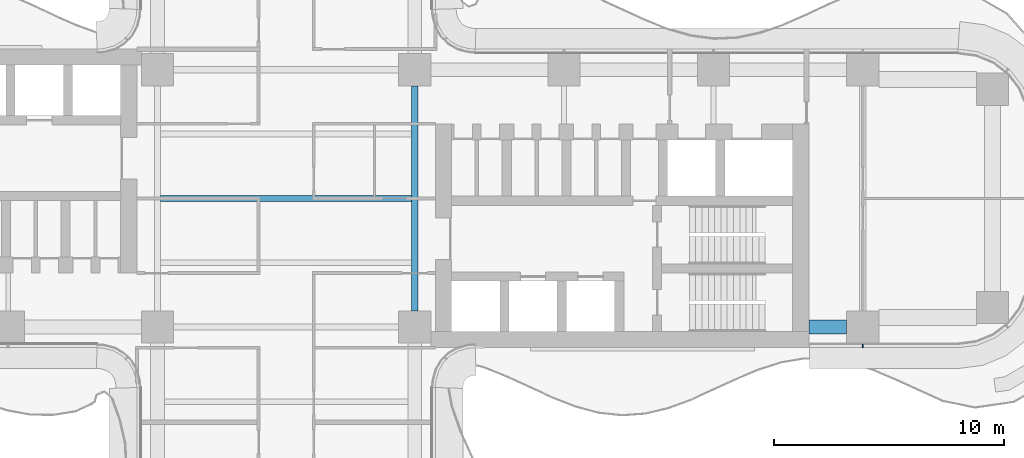
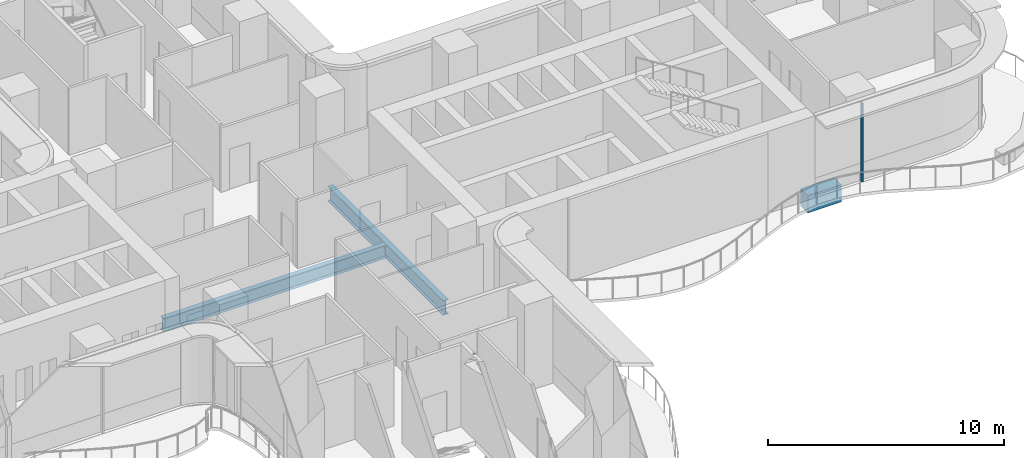
# One storey, part 6 of 22: 3 beams, 1 member, 1 element without a shape of its own.
"""IFC4 building model written with IfcOpenShell, lengths in metres."""

from ifc_helpers import new_model, si_unit, direction, frame, origin, origin_2d, place, context, subcontext, project, spatial, rectangle, i_section, extrude, source, transform, mapped, material, layer, layer_set, material_profile, profile_set, type_object, element, aggregate, save


model = new_model("IFC4")

# Units and contexts
model_context = context("Model", 3, precision=1e-05, world=origin(), true_north=direction((0.0, 1.0)))
body_context = subcontext(model_context, "Body", "Model", "MODEL_VIEW")
ifc_project = project(units=[si_unit("LENGTHUNIT", "METRE"), si_unit("AREAUNIT", "SQUARE_METRE"), si_unit("VOLUMEUNIT", "CUBIC_METRE"), si_unit("PLANEANGLEUNIT", "RADIAN"), si_unit("MASSUNIT", "GRAM", prefix="KILO")], contexts=[model_context])

# Site, building, storey
site_placement = place(None, origin())
site = spatial("IfcSite", under=ifc_project, at=site_placement, CompositionType="ELEMENT")
building_placement = place(site_placement, origin())
building = spatial("IfcBuilding", under=site, at=building_placement, Name="Trellis Farm Tower", CompositionType="ELEMENT")
storey_placement = place(building_placement, frame((0.0, 0.0, 56.5)))
storey = spatial("IfcBuildingStorey", under=building, at=storey_placement, Name="L11", CompositionType="ELEMENT", Elevation=56.5)

# Beams
ifc_material_1 = material(Name="Steel S355", Category="steel")
ifc_material_profile_1 = material_profile(ifc_material_1, i_section(OverallWidth=0.253662109375, OverallDepth=0.68359375, WebThickness=0.012451171875, FlangeThickness=0.021728515625, FilletRadius=0.01513671875, at=origin_2d()), Name="UB 686x254x140")
ifc_profile_set_1 = profile_set([ifc_material_profile_1], Name="Steel S355")
beam_type_1 = type_object("IfcBeamType", Name="UB 686x254x140 joist", PredefinedType="JOIST", material=ifc_profile_set_1)
shared_shape_1 = source(origin(), body_context, "Body", "SweptSolid", [
    extrude(i_section(OverallWidth=0.253662109375, OverallDepth=0.68359375, WebThickness=0.012451171875, FlangeThickness=0.021728515625, FilletRadius=0.01513671875, at=origin_2d()), origin(), (0.0, 0.0, 1.0), 10.93310546875),
])
beam_1_placement = place(storey_placement, frame((-5.466552734375, 0.0, -0.591796875), z_axis=(1.0, 0.0, 0.0), x_axis=(0.0, 1.0, 0.0)))
element("IfcBeam", 1, at=beam_1_placement, inside=storey, type_object=beam_type_1, Name="Floor beam", PredefinedType="JOIST", context=body_context, shape_type="MappedRepresentation", body=[
    mapped(shared_shape_1, transform((0.0, 0.0, 0.0))),
])
ifc_material_profile_2 = material_profile(ifc_material_1, i_section(OverallWidth=0.2666015625, OverallDepth=0.76220703125, WebThickness=0.014404296875, FlangeThickness=0.021484375, FilletRadius=0.0166015625, at=origin_2d()), Name="UB 762x267x173")
ifc_profile_set_2 = profile_set([ifc_material_profile_2], Name="Steel S355")
beam_type_2 = type_object("IfcBeamType", Name="UB 762x267x173", PredefinedType="BEAM", material=ifc_profile_set_2)
shared_shape_2 = source(origin(), body_context, "Body", "SweptSolid", [
    extrude(i_section(OverallWidth=0.2666015625, OverallDepth=0.76220703125, WebThickness=0.014404296875, FlangeThickness=0.021484375, FilletRadius=0.0166015625, at=origin_2d()), origin(), (0.0, 0.0, 1.0), 9.7998046875),
])
beam_2_placement = place(storey_placement, frame((5.60009765625, -4.89990234375, -0.631103515625), z_axis=(0.0, 1.0, 0.0), x_axis=(-1.0, 0.0, 0.0)))
element("IfcBeam", 2, at=beam_2_placement, inside=storey, type_object=beam_type_2, Name="Girder", PredefinedType="BEAM", context=body_context, shape_type="MappedRepresentation", body=[
    mapped(shared_shape_2, transform((0.0, 0.0, 0.0))),
])
ifc_material_2 = material(Name="Concrete C60/75", Category="concrete")
ifc_material_profile_3 = material_profile(ifc_material_2, rectangle(XDim=0.60009765625, YDim=0.89990234375, at=origin_2d()), Name="RC spandrel beam 600x900 C60/75")
ifc_profile_set_3 = profile_set([ifc_material_profile_3], Name="Concrete C60/75")
beam_type_3 = type_object("IfcBeamType", Name="RC spandrel beam 600x900 C60/75", PredefinedType="SPANDREL", material=ifc_profile_set_3)
shared_shape_3 = source(origin(), body_context, "Body", "SweptSolid", [
    extrude(rectangle(XDim=0.60009765625, YDim=0.89990234375, at=origin_2d()), origin(), (0.0, 0.0, 1.0), 1.64990234375),
])
beam_3_placement = place(storey_placement, frame((22.75, -5.60009765625, -0.699951171875), z_axis=(1.0, 0.0, 0.0), x_axis=(0.0, 1.0, 0.0)))
element("IfcBeam", 3, at=beam_3_placement, inside=storey, type_object=beam_type_3, Name="Girder", PredefinedType="SPANDREL", context=body_context, shape_type="MappedRepresentation", body=[
    mapped(shared_shape_3, transform((0.0, 0.0, 0.0))),
])

# Curtain wall, member
ifc_material_3 = material(Name="Aluminium and glass curtain wall", Category="aluminium")
ifc_layer = layer(ifc_material_3, 0.18994140625)
ifc_layer_set = layer_set([ifc_layer], Name="RIBBON CURTAIN WALL CW1")
curtain_wall_type = type_object("IfcCurtainWallType", Name="RIBBON CURTAIN WALL CW1", PredefinedType="NOTDEFINED", material=ifc_layer_set)
curtain_wall_placement = place(storey_placement, origin())
curtain_wall = element("IfcCurtainWall", 4, at=curtain_wall_placement, inside=storey, type_object=curtain_wall_type, Name="CW1 006", PredefinedType="NOTDEFINED")
ifc_material_4 = material(Name="Aluminium extrusion 6063-T6", Category="aluminium")
ifc_material_profile_4 = material_profile(ifc_material_4, rectangle(XDim=0.06005859375, YDim=0.14990234375, at=origin_2d()), Name="MULLION 60x150")
ifc_profile_set_4 = profile_set([ifc_material_profile_4], Name="Aluminium extrusion 6063-T6")
member_type = type_object("IfcMemberType", Name="CW1 MULLION 60x150", PredefinedType="MULLION", material=ifc_profile_set_4)
shared_shape_4 = source(origin(), body_context, "Body", "SweptSolid", [
    extrude(rectangle(XDim=0.06005859375, YDim=0.14990234375, at=origin_2d()), origin(), (0.0, 0.0, 1.0), 4.070068359375),
])
member_placement = place(storey_placement, frame((25.10009765625, -6.425048828125, 0.0), z_axis=(0.0, 0.0, 1.0), x_axis=(1.0, 0.0, 0.0)))
member = element("IfcMember", 5, at=member_placement, type_object=member_type, Name="MU1 006-01", PredefinedType="MULLION", context=body_context, shape_type="MappedRepresentation", body=[
    mapped(shared_shape_4, transform((0.0, 0.0, 0.0))),
])
aggregate(curtain_wall, [member])

save(model, "model.ifc")
